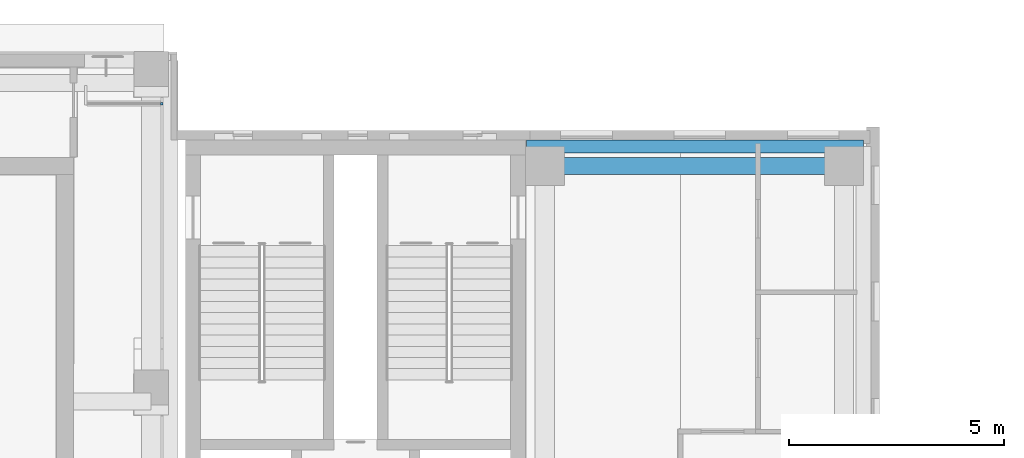
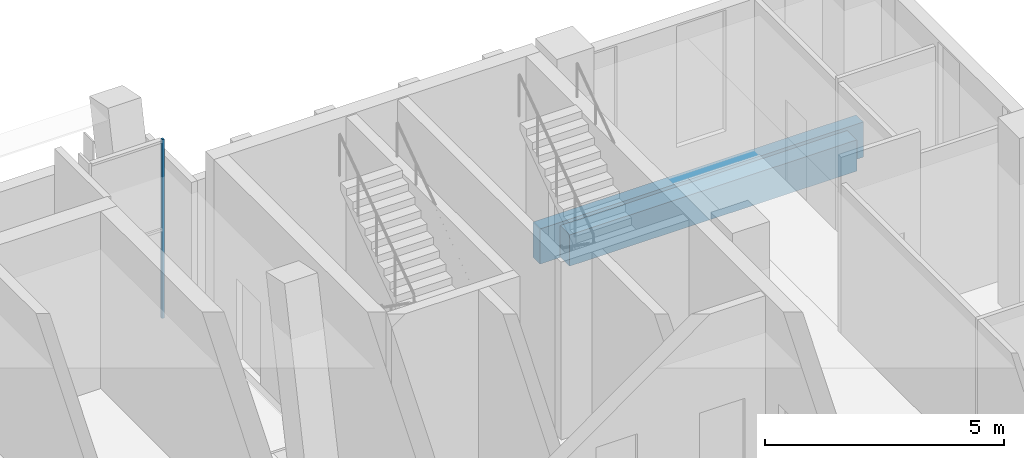
# One storey, part 86 of 141: 2 beams, 1 member, 1 element without a shape of its own.
"""IFC4 building model written with IfcOpenShell, lengths in metres."""

from ifc_helpers import new_model, si_unit, direction, frame, origin, origin_2d, place, context, subcontext, project, spatial, rectangle, extrude, material, material_profile, profile_set, type_object, element, aggregate, save


model = new_model("IFC4")

# Units and contexts
model_context = context("Model", 3, precision=1e-05, world=origin(), true_north=direction((0.0, 1.0)))
body_context = subcontext(model_context, "Body", "Model", "MODEL_VIEW")
ifc_project = project(units=[si_unit("LENGTHUNIT", "METRE"), si_unit("AREAUNIT", "SQUARE_METRE"), si_unit("VOLUMEUNIT", "CUBIC_METRE"), si_unit("PLANEANGLEUNIT", "RADIAN"), si_unit("MASSUNIT", "GRAM", prefix="KILO")], contexts=[model_context])

# Site, building, storey
site_placement = place(None, origin())
site = spatial("IfcSite", under=ifc_project, at=site_placement, CompositionType="ELEMENT")
building_placement = place(site_placement, origin())
building = spatial("IfcBuilding", under=site, at=building_placement, Name="Lantern Court Media Centre", CompositionType="ELEMENT")
storey_placement = place(building_placement, frame((0.0, 0.0, 9.60009765625)))
storey = spatial("IfcBuildingStorey", under=building, at=storey_placement, Name="L02", CompositionType="ELEMENT", Elevation=9.60009765625)

# Curtain wall, member
ifc_material_1 = material(Name="Curtain wall bay 3000")
curtain_wall_type = type_object("IfcCurtainWallType", Name="Curtain wall bay 3000", PredefinedType="NOTDEFINED", material=ifc_material_1)
curtain_wall_placement = place(storey_placement, origin())
curtain_wall = element("IfcCurtainWall", 1, at=curtain_wall_placement, inside=storey, type_object=curtain_wall_type, Name="Curtain wall N outer L02", PredefinedType="NOTDEFINED")
ifc_material_2 = material(Name="Anodised aluminium", Category="aluminium")
ifc_material_profile_1 = material_profile(ifc_material_2, rectangle(XDim=0.06005859375, YDim=0.06005859375, at=origin_2d()), Name="AL 60x60")
ifc_profile_set_1 = profile_set([ifc_material_profile_1], Name="Anodised aluminium")
member_type = type_object("IfcMemberType", Name="Curtain wall mullion 60x60", PredefinedType="MULLION", material=ifc_profile_set_1)
member_placement = place(storey_placement, frame((79.550048828125, 112.85009765625, 0.0), z_axis=(0.0, 0.0, 1.0), x_axis=(0.0, 1.0, 0.0)))
member = element("IfcMember", 2, at=member_placement, type_object=member_type, Name="CW1 mullion 2", PredefinedType="MULLION", context=body_context, shape_type="SweptSolid", body=[
    extrude(rectangle(XDim=0.06005859375, YDim=0.06005859375, at=origin_2d()), origin(), (0.0, 0.0, 1.0), 4.579833984375),
])
aggregate(curtain_wall, [member])

# Beams
ifc_material_3 = material(Name="Concrete C35", Category="concrete")
ifc_material_profile_2 = material_profile(ifc_material_3, rectangle(XDim=0.300048828125, YDim=0.89990234375, at=origin_2d()), Name="RC 300x900")
ifc_profile_set_2 = profile_set([ifc_material_profile_2], Name="Concrete C35")
beam_type_1 = type_object("IfcBeamType", Name="RC BEAM 300x900", PredefinedType="BEAM", material=ifc_profile_set_2)
beam_1_placement = place(storey_placement, frame((88.02001953125, 111.85009765625, -0.4501953125), z_axis=(1.0, 0.0, 0.0), x_axis=(0.0, 1.0, 0.0)))
element("IfcBeam", 3, at=beam_1_placement, inside=storey, type_object=beam_type_1, Name="EB-NE-L02-N", PredefinedType="BEAM", context=body_context, shape_type="SweptSolid", body=[
    extrude(rectangle(XDim=0.300048828125, YDim=0.89990234375, at=origin_2d()), origin(), (0.0, 0.0, 1.0), 7.830078125),
])
ifc_material_profile_3 = material_profile(ifc_material_3, rectangle(XDim=0.39990234375, YDim=0.800048828125, at=origin_2d()), Name="RC 400x800")
ifc_profile_set_3 = profile_set([ifc_material_profile_3], Name="Concrete C35")
beam_type_2 = type_object("IfcBeamType", Name="RC BEAM 400x800", PredefinedType="BEAM", material=ifc_profile_set_3)
beam_2_placement = place(storey_placement, frame((88.449951171875, 111.39990234375, -0.400146484375), z_axis=(1.0, 0.0, 0.0), x_axis=(0.0, 1.0, 0.0)))
element("IfcBeam", 4, at=beam_2_placement, inside=storey, type_object=beam_type_2, Name="BB-NE-L02-Y0-111", PredefinedType="BEAM", context=body_context, shape_type="SweptSolid", body=[
    extrude(rectangle(XDim=0.39990234375, YDim=0.800048828125, at=origin_2d()), origin(), (0.0, 0.0, 1.0), 6.949951171875),
])

save(model, "model.ifc")
